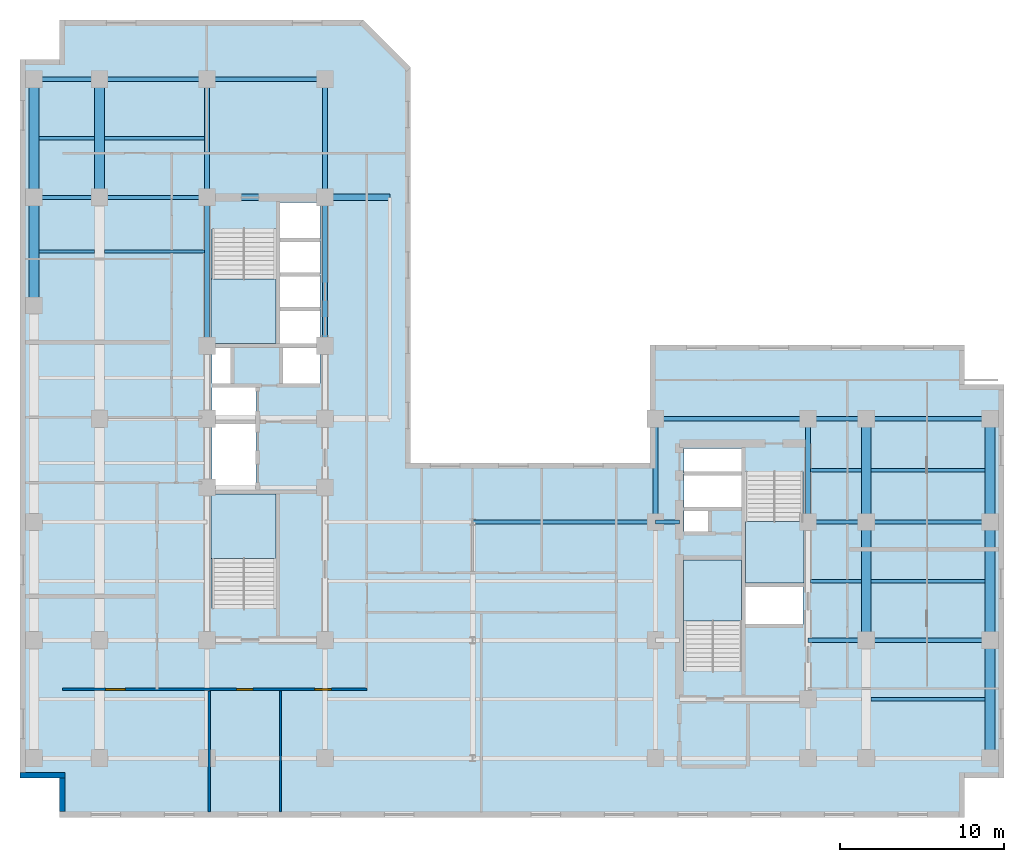
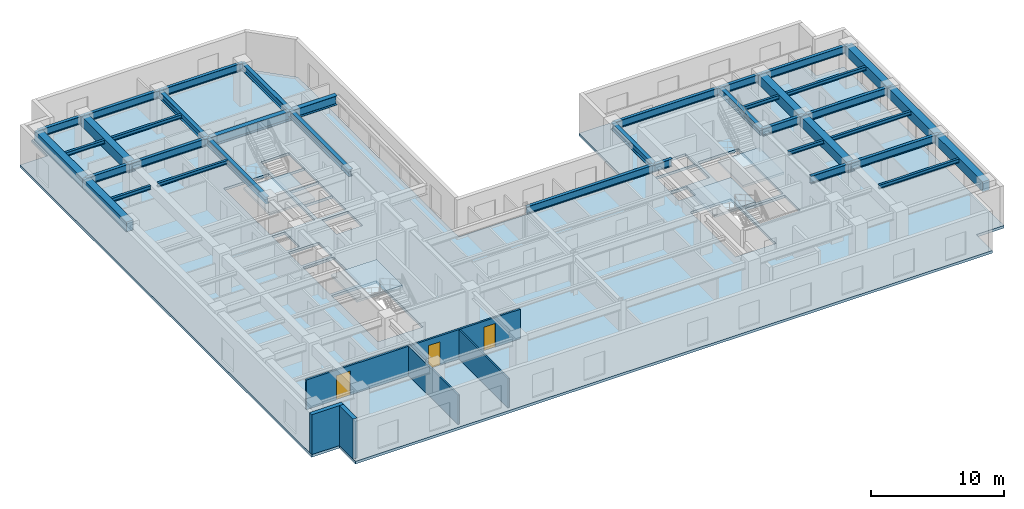
# One storey, part 2 of 9: 38 beams, 5 slabs, 5 walls, 3 doors, 3 openings, 4 elements without a shape of their own.
"""IFC4 building model written with IfcOpenShell, lengths in metres."""

from ifc_helpers import new_model, entity, si_unit, converted_unit, direction, frame, origin_with_axes, origin_2d_with_axis, place, context, subcontext, project, spatial, polyline, rectangle, i_section, outline, extrude, material, layer, layer_set, material_profile, profile_set, type_object, element, fill, aggregate, save


model = new_model("IFC4")

# Units and contexts
model_context = context("Model", 3, precision=1e-05, world=origin_with_axes(), true_north=direction((0.0, 1.0)))
body_context = subcontext(model_context, "Body", "Model", "MODEL_VIEW")
ifc_project = project(units=[si_unit("LENGTHUNIT", "METRE"), si_unit("AREAUNIT", "SQUARE_METRE"), si_unit("VOLUMEUNIT", "CUBIC_METRE"), converted_unit("PLANEANGLEUNIT", "DEGREE", entity("IfcPlaneAngleMeasure", 0.017453292519943295), si_unit("PLANEANGLEUNIT", "RADIAN"), dimensions=[0, 0, 0, 0, 0, 0, 0]), si_unit("MASSUNIT", "GRAM", prefix="KILO"), si_unit("THERMODYNAMICTEMPERATUREUNIT", "KELVIN")], contexts=[model_context])

# Site, building, storey
site_placement = place(None, origin_with_axes())
site = spatial("IfcSite", under=ifc_project, at=site_placement, CompositionType="ELEMENT")
building_placement = place(site_placement, origin_with_axes())
building = spatial("IfcBuilding", under=site, at=building_placement, Name="Varnlund Millrace Tower", CompositionType="ELEMENT")
storey_placement = place(building_placement, frame((0.0, 0.0, 164.1), z_axis=(0.0, 0.0, 1.0), x_axis=(1.0, 0.0, 0.0)))
storey = spatial("IfcBuildingStorey", under=building, at=storey_placement, Name="L40", CompositionType="ELEMENT", Elevation=164.1)

# Beams
ifc_material_1 = material(Name="Steel ASTM A992 Grade 50", Category="steel")
ifc_material_profile_1 = material_profile(ifc_material_1, i_section(OverallWidth=0.328, OverallDepth=0.628, WebThickness=0.0165, FlangeThickness=0.0277, FilletRadius=0.018, at=origin_2d_with_axis()), Name="Steel ASTM A992 Grade 50")
ifc_profile_set_1 = profile_set([ifc_material_profile_1], Name="Steel ASTM A992 Grade 50")
beam_type_1 = type_object("IfcBeamType", Name="Type-Girder-W24X146", PredefinedType="USERDEFINED", material=ifc_profile_set_1)
beam_1_placement = place(storey_placement, frame((11.4, 28.75, 3.346), z_axis=(0.0, 1.0, 0.0), x_axis=(-1.0, 0.0, 0.0)))
element("IfcBeam", 1, at=beam_1_placement, inside=storey, type_object=beam_type_1, Name="Type-Girder-W24X146", ObjectType="GIRDER", PredefinedType="USERDEFINED", context=body_context, shape_type="SweptSolid", body=[
    extrude(i_section(OverallWidth=0.328, OverallDepth=0.628, WebThickness=0.0165, FlangeThickness=0.0277, FilletRadius=0.018, at=origin_2d_with_axis()), origin_with_axes(), (0.0, 0.0, 1.0), 9.05),
])
beam_2_placement = place(storey_placement, frame((11.4, 37.8, 3.346), z_axis=(0.0, 1.0, 0.0), x_axis=(-1.0, 0.0, 0.0)))
element("IfcBeam", 2, at=beam_2_placement, inside=storey, type_object=beam_type_1, Name="Type-Girder-W24X146", ObjectType="GIRDER", PredefinedType="USERDEFINED", context=body_context, shape_type="SweptSolid", body=[
    extrude(i_section(OverallWidth=0.328, OverallDepth=0.628, WebThickness=0.0165, FlangeThickness=0.0277, FilletRadius=0.018, at=origin_2d_with_axis()), origin_with_axes(), (0.0, 0.0, 1.0), 7.2),
])
beam_3_placement = place(storey_placement, frame((18.6, 28.75, 3.346), z_axis=(0.0, 1.0, 0.0), x_axis=(-1.0, 0.0, 0.0)))
element("IfcBeam", 3, at=beam_3_placement, inside=storey, type_object=beam_type_1, Name="Type-Girder-W24X146", ObjectType="GIRDER", PredefinedType="USERDEFINED", context=body_context, shape_type="SweptSolid", body=[
    extrude(i_section(OverallWidth=0.328, OverallDepth=0.628, WebThickness=0.0165, FlangeThickness=0.0277, FilletRadius=0.018, at=origin_2d_with_axis()), origin_with_axes(), (0.0, 0.0, 1.0), 9.05),
])
beam_4_placement = place(storey_placement, frame((18.6, 37.8, 3.346), z_axis=(0.0, 1.0, 0.0), x_axis=(-1.0, 0.0, 0.0)))
element("IfcBeam", 4, at=beam_4_placement, inside=storey, type_object=beam_type_1, Name="Type-Girder-W24X146", ObjectType="GIRDER", PredefinedType="USERDEFINED", context=body_context, shape_type="SweptSolid", body=[
    extrude(i_section(OverallWidth=0.328, OverallDepth=0.628, WebThickness=0.0165, FlangeThickness=0.0277, FilletRadius=0.018, at=origin_2d_with_axis()), origin_with_axes(), (0.0, 0.0, 1.0), 7.2),
])
for number, where, z_axis, x_axis, name in (
    (5, (38.75, 18.0, 3.346), (0.0, 1.0, 0.0), (-1.0, 0.0, 0.0), "Type-Girder-W24X146"),
    (6, (48.05, 18.0, 3.346), (0.0, 1.0, 0.0), (-1.0, 0.0, 0.0), "Type-Girder-W24X146"),
):
    element("IfcBeam", number, at=place(storey_placement, frame(where, z_axis=z_axis, x_axis=x_axis)), inside=storey, type_object=beam_type_1, Name=name, ObjectType="GIRDER", PredefinedType="USERDEFINED", context=body_context, shape_type="SweptSolid", body=[
        extrude(i_section(OverallWidth=0.328, OverallDepth=0.628, WebThickness=0.0165, FlangeThickness=0.0277, FilletRadius=0.018, at=origin_2d_with_axis()), origin_with_axes(), (0.0, 0.0, 1.0), 6.3),
    ])
ifc_material_profile_2 = material_profile(ifc_material_1, i_section(OverallWidth=0.256, OverallDepth=0.693, WebThickness=0.0145, FlangeThickness=0.0236, FilletRadius=0.018, at=origin_2d_with_axis()), Name="Steel ASTM A992 Grade 50")
ifc_profile_set_2 = profile_set([ifc_material_profile_2], Name="Steel ASTM A992 Grade 50")
beam_type_2 = type_object("IfcBeamType", Name="Type-Girder-W27X114", PredefinedType="USERDEFINED", material=ifc_profile_set_2)
beam_5_placement = place(storey_placement, frame((48.05, 10.8, 3.3135), z_axis=(1.0, 0.0, 0.0), x_axis=(0.0, 1.0, 0.0)))
element("IfcBeam", 7, at=beam_5_placement, inside=storey, type_object=beam_type_2, Name="Type-Girder-W27X114", ObjectType="GIRDER", PredefinedType="USERDEFINED", context=body_context, shape_type="SweptSolid", body=[
    extrude(i_section(OverallWidth=0.256, OverallDepth=0.693, WebThickness=0.0145, FlangeThickness=0.0236, FilletRadius=0.018, at=origin_2d_with_axis()), origin_with_axes(), (0.0, 0.0, 1.0), 3.55),
])
beam_6_placement = place(storey_placement, frame((51.6, 10.8, 3.3135), z_axis=(1.0, 0.0, 0.0), x_axis=(0.0, 1.0, 0.0)))
element("IfcBeam", 8, at=beam_6_placement, inside=storey, type_object=beam_type_2, Name="Type-Girder-W27X114", ObjectType="GIRDER", PredefinedType="USERDEFINED", context=body_context, shape_type="SweptSolid", body=[
    extrude(i_section(OverallWidth=0.256, OverallDepth=0.693, WebThickness=0.0145, FlangeThickness=0.0236, FilletRadius=0.018, at=origin_2d_with_axis()), origin_with_axes(), (0.0, 0.0, 1.0), 7.55),
])
beam_7_placement = place(storey_placement, frame((27.6, 18.0, 3.3135), z_axis=(1.0, 0.0, 0.0), x_axis=(0.0, 1.0, 0.0)))
element("IfcBeam", 9, at=beam_7_placement, inside=storey, type_object=beam_type_2, Name="Type-Girder-W27X114", ObjectType="GIRDER", PredefinedType="USERDEFINED", context=body_context, shape_type="SweptSolid", body=[
    extrude(i_section(OverallWidth=0.256, OverallDepth=0.693, WebThickness=0.0145, FlangeThickness=0.0236, FilletRadius=0.018, at=origin_2d_with_axis()), origin_with_axes(), (0.0, 0.0, 1.0), 11.15),
])
beam_8_placement = place(storey_placement, frame((38.75, 18.0, 3.3135), z_axis=(1.0, 0.0, 0.0), x_axis=(0.0, 1.0, 0.0)))
element("IfcBeam", 10, at=beam_8_placement, inside=storey, type_object=beam_type_2, Name="Type-Girder-W27X114", ObjectType="GIRDER", PredefinedType="USERDEFINED", context=body_context, shape_type="SweptSolid", body=[
    extrude(i_section(OverallWidth=0.256, OverallDepth=0.693, WebThickness=0.0145, FlangeThickness=0.0236, FilletRadius=0.018, at=origin_2d_with_axis()), origin_with_axes(), (0.0, 0.0, 1.0), 1.45),
])
beam_9_placement = place(storey_placement, frame((48.05, 18.0, 3.3135), z_axis=(1.0, 0.0, 0.0), x_axis=(0.0, 1.0, 0.0)))
element("IfcBeam", 11, at=beam_9_placement, inside=storey, type_object=beam_type_2, Name="Type-Girder-W27X114", ObjectType="GIRDER", PredefinedType="USERDEFINED", context=body_context, shape_type="SweptSolid", body=[
    extrude(i_section(OverallWidth=0.256, OverallDepth=0.693, WebThickness=0.0145, FlangeThickness=0.0236, FilletRadius=0.018, at=origin_2d_with_axis()), origin_with_axes(), (0.0, 0.0, 1.0), 3.55),
])
beam_10_placement = place(storey_placement, frame((51.6, 18.0, 3.3135), z_axis=(1.0, 0.0, 0.0), x_axis=(0.0, 1.0, 0.0)))
element("IfcBeam", 12, at=beam_10_placement, inside=storey, type_object=beam_type_2, Name="Type-Girder-W27X114", ObjectType="GIRDER", PredefinedType="USERDEFINED", context=body_context, shape_type="SweptSolid", body=[
    extrude(i_section(OverallWidth=0.256, OverallDepth=0.693, WebThickness=0.0145, FlangeThickness=0.0236, FilletRadius=0.018, at=origin_2d_with_axis()), origin_with_axes(), (0.0, 0.0, 1.0), 7.55),
])
beam_11_placement = place(storey_placement, frame((38.75, 24.3, 3.3135), z_axis=(1.0, 0.0, 0.0), x_axis=(0.0, 1.0, 0.0)))
element("IfcBeam", 13, at=beam_11_placement, inside=storey, type_object=beam_type_2, Name="Type-Girder-W27X114", ObjectType="GIRDER", PredefinedType="USERDEFINED", context=body_context, shape_type="SweptSolid", body=[
    extrude(i_section(OverallWidth=0.256, OverallDepth=0.693, WebThickness=0.0145, FlangeThickness=0.0236, FilletRadius=0.018, at=origin_2d_with_axis()), origin_with_axes(), (0.0, 0.0, 1.0), 9.3),
])
beam_12_placement = place(storey_placement, frame((48.05, 24.3, 3.3135), z_axis=(1.0, 0.0, 0.0), x_axis=(0.0, 1.0, 0.0)))
element("IfcBeam", 14, at=beam_12_placement, inside=storey, type_object=beam_type_2, Name="Type-Girder-W27X114", ObjectType="GIRDER", PredefinedType="USERDEFINED", context=body_context, shape_type="SweptSolid", body=[
    extrude(i_section(OverallWidth=0.256, OverallDepth=0.693, WebThickness=0.0145, FlangeThickness=0.0236, FilletRadius=0.018, at=origin_2d_with_axis()), origin_with_axes(), (0.0, 0.0, 1.0), 3.55),
])
beam_13_placement = place(storey_placement, frame((51.6, 24.3, 3.3135), z_axis=(1.0, 0.0, 0.0), x_axis=(0.0, 1.0, 0.0)))
element("IfcBeam", 15, at=beam_13_placement, inside=storey, type_object=beam_type_2, Name="Type-Girder-W27X114", ObjectType="GIRDER", PredefinedType="USERDEFINED", context=body_context, shape_type="SweptSolid", body=[
    extrude(i_section(OverallWidth=0.256, OverallDepth=0.693, WebThickness=0.0145, FlangeThickness=0.0236, FilletRadius=0.018, at=origin_2d_with_axis()), origin_with_axes(), (0.0, 0.0, 1.0), 7.55),
])
beam_14_placement = place(storey_placement, frame((0.85, 37.8, 3.3135), z_axis=(1.0, 0.0, 0.0), x_axis=(0.0, 1.0, 0.0)))
element("IfcBeam", 16, at=beam_14_placement, inside=storey, type_object=beam_type_2, Name="Type-Girder-W27X114", ObjectType="GIRDER", PredefinedType="USERDEFINED", context=body_context, shape_type="SweptSolid", body=[
    extrude(i_section(OverallWidth=0.256, OverallDepth=0.693, WebThickness=0.0145, FlangeThickness=0.0236, FilletRadius=0.018, at=origin_2d_with_axis()), origin_with_axes(), (0.0, 0.0, 1.0), 4.0),
])
beam_15_placement = place(storey_placement, frame((4.85, 37.8, 3.3135), z_axis=(1.0, 0.0, 0.0), x_axis=(0.0, 1.0, 0.0)))
element("IfcBeam", 17, at=beam_15_placement, inside=storey, type_object=beam_type_2, Name="Type-Girder-W27X114", ObjectType="GIRDER", PredefinedType="USERDEFINED", context=body_context, shape_type="SweptSolid", body=[
    extrude(i_section(OverallWidth=0.256, OverallDepth=0.693, WebThickness=0.0145, FlangeThickness=0.0236, FilletRadius=0.018, at=origin_2d_with_axis()), origin_with_axes(), (0.0, 0.0, 1.0), 6.55),
])
beam_16_placement = place(storey_placement, frame((0.85, 45.0, 3.3135), z_axis=(1.0, 0.0, 0.0), x_axis=(0.0, 1.0, 0.0)))
element("IfcBeam", 18, at=beam_16_placement, inside=storey, type_object=beam_type_2, Name="Type-Girder-W27X114", ObjectType="GIRDER", PredefinedType="USERDEFINED", context=body_context, shape_type="SweptSolid", body=[
    extrude(i_section(OverallWidth=0.256, OverallDepth=0.693, WebThickness=0.0145, FlangeThickness=0.0236, FilletRadius=0.018, at=origin_2d_with_axis()), origin_with_axes(), (0.0, 0.0, 1.0), 4.0),
])
beam_17_placement = place(storey_placement, frame((4.85, 45.0, 3.3135), z_axis=(1.0, 0.0, 0.0), x_axis=(0.0, 1.0, 0.0)))
element("IfcBeam", 19, at=beam_17_placement, inside=storey, type_object=beam_type_2, Name="Type-Girder-W27X114", ObjectType="GIRDER", PredefinedType="USERDEFINED", context=body_context, shape_type="SweptSolid", body=[
    extrude(i_section(OverallWidth=0.256, OverallDepth=0.693, WebThickness=0.0145, FlangeThickness=0.0236, FilletRadius=0.018, at=origin_2d_with_axis()), origin_with_axes(), (0.0, 0.0, 1.0), 6.55),
])
beam_18_placement = place(storey_placement, frame((11.4, 45.0, 3.3135), z_axis=(1.0, 0.0, 0.0), x_axis=(0.0, 1.0, 0.0)))
element("IfcBeam", 20, at=beam_18_placement, inside=storey, type_object=beam_type_2, Name="Type-Girder-W27X114", ObjectType="GIRDER", PredefinedType="USERDEFINED", context=body_context, shape_type="SweptSolid", body=[
    extrude(i_section(OverallWidth=0.256, OverallDepth=0.693, WebThickness=0.0145, FlangeThickness=0.0236, FilletRadius=0.018, at=origin_2d_with_axis()), origin_with_axes(), (0.0, 0.0, 1.0), 7.2),
])
ifc_material_profile_3 = material_profile(ifc_material_1, i_section(OverallWidth=0.399, OverallDepth=0.855, WebThickness=0.0182, FlangeThickness=0.0292, FilletRadius=0.022, at=origin_2d_with_axis()), Name="Steel ASTM A992 Grade 50")
ifc_profile_set_3 = profile_set([ifc_material_profile_3], Name="Steel ASTM A992 Grade 50")
beam_type_3 = type_object("IfcBeamType", Name="Type-Girder-W33X201", PredefinedType="USERDEFINED", material=ifc_profile_set_3)
beam_19_placement = place(storey_placement, frame((11.4, 37.8, 3.2325), z_axis=(1.0, 0.0, 0.0), x_axis=(0.0, 1.0, 0.0)))
element("IfcBeam", 21, at=beam_19_placement, inside=storey, type_object=beam_type_3, Name="Type-Girder-W33X201", ObjectType="GIRDER", PredefinedType="USERDEFINED", context=body_context, shape_type="SweptSolid", body=[
    extrude(i_section(OverallWidth=0.399, OverallDepth=0.855, WebThickness=0.0182, FlangeThickness=0.0292, FilletRadius=0.022, at=origin_2d_with_axis()), origin_with_axes(), (0.0, 0.0, 1.0), 11.15),
])
ifc_material_profile_4 = material_profile(ifc_material_1, i_section(OverallWidth=0.204, OverallDepth=0.35, WebThickness=0.0086, FlangeThickness=0.0151, FilletRadius=0.013, at=origin_2d_with_axis()), Name="Steel ASTM A992 Grade 50")
ifc_profile_set_4 = profile_set([ifc_material_profile_4], Name="Steel ASTM A992 Grade 50")
beam_type_4 = type_object("IfcBeamType", Name="Type-Joist-W14X48", PredefinedType="JOIST", material=ifc_profile_set_4)
for number, where, z_axis, x_axis, name in (
    (22, (1.15, 34.5, 3.485), (1.0, 0.0, 0.0), (0.0, 1.0, 0.0), "Type-Joist-W14X48"),
    (23, (1.15, 41.4, 3.485), (1.0, 0.0, 0.0), (0.0, 1.0, 0.0), "Type-Joist-W14X48"),
):
    element("IfcBeam", number, at=place(storey_placement, frame(where, z_axis=z_axis, x_axis=x_axis)), inside=storey, type_object=beam_type_4, Name=name, PredefinedType="JOIST", context=body_context, shape_type="SweptSolid", body=[
        extrude(i_section(OverallWidth=0.204, OverallDepth=0.35, WebThickness=0.0086, FlangeThickness=0.0151, FilletRadius=0.013, at=origin_2d_with_axis()), origin_with_axes(), (0.0, 0.0, 1.0), 3.4),
    ])
for number, where, z_axis, x_axis, name in (
    (24, (5.15, 34.5, 3.485), (1.0, 0.0, 0.0), (0.0, 1.0, 0.0), "Type-Joist-W14X48"),
    (25, (5.15, 41.4, 3.485), (1.0, 0.0, 0.0), (0.0, 1.0, 0.0), "Type-Joist-W14X48"),
):
    element("IfcBeam", number, at=place(storey_placement, frame(where, z_axis=z_axis, x_axis=x_axis)), inside=storey, type_object=beam_type_4, Name=name, PredefinedType="JOIST", context=body_context, shape_type="SweptSolid", body=[
        extrude(i_section(OverallWidth=0.204, OverallDepth=0.35, WebThickness=0.0086, FlangeThickness=0.0151, FilletRadius=0.013, at=origin_2d_with_axis()), origin_with_axes(), (0.0, 0.0, 1.0), 6.086),
    ])
for number, where, z_axis, x_axis, name in (
    (26, (48.214, 14.4, 3.485), (1.0, 0.0, 0.0), (0.0, 1.0, 0.0), "Type-Joist-W14X48"),
    (27, (48.214, 21.15, 3.485), (1.0, 0.0, 0.0), (0.0, 1.0, 0.0), "Type-Joist-W14X48"),
):
    element("IfcBeam", number, at=place(storey_placement, frame(where, z_axis=z_axis, x_axis=x_axis)), inside=storey, type_object=beam_type_4, Name=name, PredefinedType="JOIST", context=body_context, shape_type="SweptSolid", body=[
        extrude(i_section(OverallWidth=0.204, OverallDepth=0.35, WebThickness=0.0086, FlangeThickness=0.0151, FilletRadius=0.013, at=origin_2d_with_axis()), origin_with_axes(), (0.0, 0.0, 1.0), 3.086),
    ])
for number, where, z_axis, x_axis, name in (
    (28, (51.9, 7.2, 3.485), (1.0, 0.0, 0.0), (0.0, 1.0, 0.0), "Type-Joist-W14X48"),
    (29, (51.9, 14.4, 3.485), (1.0, 0.0, 0.0), (0.0, 1.0, 0.0), "Type-Joist-W14X48"),
    (30, (51.9, 21.15, 3.485), (1.0, 0.0, 0.0), (0.0, 1.0, 0.0), "Type-Joist-W14X48"),
):
    element("IfcBeam", number, at=place(storey_placement, frame(where, z_axis=z_axis, x_axis=x_axis)), inside=storey, type_object=beam_type_4, Name=name, PredefinedType="JOIST", context=body_context, shape_type="SweptSolid", body=[
        extrude(i_section(OverallWidth=0.204, OverallDepth=0.35, WebThickness=0.0086, FlangeThickness=0.0151, FilletRadius=0.013, at=origin_2d_with_axis()), origin_with_axes(), (0.0, 0.0, 1.0), 6.95),
    ])
ifc_material_2 = material(Name="Concrete C70/85", Category="concrete")
ifc_material_profile_5 = material_profile(ifc_material_2, rectangle(XDim=0.6, YDim=0.9, at=origin_2d_with_axis()), Name="Concrete C70/85")
ifc_profile_set_5 = profile_set([ifc_material_profile_5], Name="Concrete C70/85")
beam_type_5 = type_object("IfcBeamType", Name="Type-Spandrel-RC600X900", PredefinedType="SPANDREL", material=ifc_profile_set_5)
beam_20_placement = place(storey_placement, frame((0.85, 31.2, 3.21), z_axis=(0.0, 1.0, 0.0), x_axis=(-1.0, 0.0, 0.0)))
element("IfcBeam", 31, at=beam_20_placement, inside=storey, type_object=beam_type_5, Name="Type-Spandrel-RC600X900", PredefinedType="SPANDREL", context=body_context, shape_type="SweptSolid", body=[
    extrude(rectangle(XDim=0.6, YDim=0.9, at=origin_2d_with_axis()), origin_with_axes(), (0.0, 0.0, 1.0), 6.6),
])
for number, where, z_axis, x_axis, name in (
    (32, (0.85, 37.8, 3.21), (0.0, 1.0, 0.0), (-1.0, 0.0, 0.0), "Type-Spandrel-RC600X900"),
    (33, (4.85, 37.8, 3.21), (0.0, 1.0, 0.0), (-1.0, 0.0, 0.0), "Type-Spandrel-RC600X900"),
    (34, (51.6, 10.8, 3.21), (0.0, 1.0, 0.0), (-1.0, 0.0, 0.0), "Type-Spandrel-RC600X900"),
):
    element("IfcBeam", number, at=place(storey_placement, frame(where, z_axis=z_axis, x_axis=x_axis)), inside=storey, type_object=beam_type_5, Name=name, PredefinedType="SPANDREL", context=body_context, shape_type="SweptSolid", body=[
        extrude(rectangle(XDim=0.6, YDim=0.9, at=origin_2d_with_axis()), origin_with_axes(), (0.0, 0.0, 1.0), 7.2),
    ])
beam_21_placement = place(storey_placement, frame((51.6, 18.0, 3.21), z_axis=(0.0, 1.0, 0.0), x_axis=(-1.0, 0.0, 0.0)))
element("IfcBeam", 35, at=beam_21_placement, inside=storey, type_object=beam_type_5, Name="Type-Spandrel-RC600X900", PredefinedType="SPANDREL", context=body_context, shape_type="SweptSolid", body=[
    extrude(rectangle(XDim=0.6, YDim=0.9, at=origin_2d_with_axis()), origin_with_axes(), (0.0, 0.0, 1.0), 6.3),
])
for number, where, z_axis, x_axis, name in (
    (36, (59.15, 3.6, 3.21), (0.0, 1.0, 0.0), (-1.0, 0.0, 0.0), "Type-Spandrel-RC600X900"),
    (37, (59.15, 10.8, 3.21), (0.0, 1.0, 0.0), (-1.0, 0.0, 0.0), "Type-Spandrel-RC600X900"),
):
    element("IfcBeam", number, at=place(storey_placement, frame(where, z_axis=z_axis, x_axis=x_axis)), inside=storey, type_object=beam_type_5, Name=name, PredefinedType="SPANDREL", context=body_context, shape_type="SweptSolid", body=[
        extrude(rectangle(XDim=0.6, YDim=0.9, at=origin_2d_with_axis()), origin_with_axes(), (0.0, 0.0, 1.0), 7.2),
    ])
beam_22_placement = place(storey_placement, frame((59.15, 18.0, 3.21), z_axis=(0.0, 1.0, 0.0), x_axis=(-1.0, 0.0, 0.0)))
element("IfcBeam", 38, at=beam_22_placement, inside=storey, type_object=beam_type_5, Name="Type-Spandrel-RC600X900", PredefinedType="SPANDREL", context=body_context, shape_type="SweptSolid", body=[
    extrude(rectangle(XDim=0.6, YDim=0.9, at=origin_2d_with_axis()), origin_with_axes(), (0.0, 0.0, 1.0), 6.3),
])

# Slab
ifc_material_3 = material(Name="Concrete C60/75", Category="concrete")
ifc_layer_1 = layer(ifc_material_3, 0.24, Name="Concrete C60/75")
ifc_layer_set_1 = layer_set([ifc_layer_1], Name="Concrete C60/75")
slab_type_1 = type_object("IfcSlabType", Name="Type-Deck-Plate-Typical-240", PredefinedType="FLOOR", material=ifc_layer_set_1)
slab_1_placement = place(storey_placement, frame((0.0, 0.0, -0.24), z_axis=(0.0, 0.0, 1.0), x_axis=(1.0, 0.0, 0.0)))
element("IfcSlab", 39, at=slab_1_placement, inside=storey, type_object=slab_type_1, Name="Type-Deck-Plate-Typical-240", PredefinedType="FLOOR", context=body_context, shape_type="SweptSolid", body=[
    extrude(outline(polyline([(23.819, 21.6), (23.819, 45.72), (20.939, 48.6), (2.4, 48.6), (2.4, 46.2), (0.0, 46.2), (0.0, 2.4), (2.4, 2.4), (2.4, 0.0), (57.6, 0.0), (57.6, 2.4), (60.0, 2.4), (60.0, 26.4), (57.6, 26.4), (57.6, 28.8), (38.4, 28.8), (38.4, 21.6), (23.819, 21.6)]), holes=[polyline([(15.6, 12.715), (11.7, 12.715), (11.7, 19.7), (15.6, 19.7), (15.6, 12.715)]), polyline([(14.38, 23.98), (14.38, 19.94), (11.7, 19.94), (11.7, 23.98), (14.38, 23.98)]), polyline([(14.38, 24.24), (11.7, 24.24), (11.7, 26.2), (14.38, 26.2), (14.38, 24.24)]), polyline([(12.84, 26.46), (11.7, 26.46), (11.7, 28.65), (12.84, 28.65), (12.84, 26.46)]), polyline([(18.3, 28.9), (15.84, 28.9), (15.84, 30.98), (18.3, 30.98), (18.3, 28.9)]), polyline([(18.3, 31.02), (15.84, 31.02), (15.84, 33.08), (18.3, 33.08), (18.3, 31.02)]), polyline([(15.6, 28.9), (11.7, 28.9), (11.7, 35.885), (15.6, 35.885), (15.6, 28.9)]), polyline([(18.3, 33.12), (15.84, 33.12), (15.84, 35.18), (18.3, 35.18), (18.3, 33.12)]), polyline([(44.0, 8.915), (40.5, 8.915), (40.5, 15.7), (44.0, 15.7), (44.0, 8.915)]), polyline([(47.75, 11.74), (44.25, 11.74), (44.25, 14.06), (47.75, 14.06), (47.75, 11.74)]), polyline([(47.75, 14.3), (44.25, 14.3), (44.25, 21.085), (47.75, 21.085), (47.75, 14.3)]), polyline([(41.95, 17.42), (40.5, 17.42), (40.5, 18.72), (41.95, 18.72), (41.95, 17.42)]), polyline([(44.0, 18.88), (40.5, 18.88), (40.5, 20.94), (44.0, 20.94), (44.0, 18.88)]), polyline([(44.0, 21.0), (40.5, 21.0), (40.5, 22.5), (44.0, 22.5), (44.0, 21.0)]), polyline([(16.04, 26.46), (16.04, 28.65), (18.3, 28.65), (18.3, 26.46), (16.04, 26.46)]), polyline([(15.84, 35.22), (15.84, 37.5), (18.3, 37.5), (18.3, 35.22), (15.84, 35.22)])]), origin_with_axes(), (0.0, 0.0, 1.0), 0.24),
])

# Stair, slab
ifc_material_4 = material(Name="Concrete C50/60", Category="concrete")
stair_type_1 = type_object("IfcStairType", Name="Type-Stair-Dogleg-185-390", PredefinedType="HALF_TURN_STAIR", material=ifc_material_4)
stair_1_placement = place(storey_placement, origin_with_axes())
stair_1 = element("IfcStair", 40, at=stair_1_placement, inside=storey, type_object=stair_type_1, Name="Type-Stair-Dogleg-185-390", PredefinedType="HALF_TURN_STAIR")
ifc_layer_2 = layer(ifc_material_4, 0.2, Name="Concrete C50/60")
ifc_layer_set_2 = layer_set([ifc_layer_2], Name="Concrete C50/60")
slab_type_2 = type_object("IfcSlabType", Name="Type-StairLanding-200", PredefinedType="LANDING", material=ifc_layer_set_2)
slab_2_placement = place(storey_placement, frame((0.0, 0.0, 1.75), z_axis=(0.0, 0.0, 1.0), x_axis=(1.0, 0.0, 0.0)))
slab_2 = element("IfcSlab", 41, at=slab_2_placement, type_object=slab_type_2, Name="ST-A1 landing 1", PredefinedType="LANDING", context=body_context, shape_type="SweptSolid", body=[
    extrude(outline(polyline([(15.6, 15.78), (15.6, 19.7), (11.65, 19.7), (11.65, 15.78), (15.6, 15.78)])), origin_with_axes(), (0.0, 0.0, 1.0), 0.2),
])
aggregate(stair_1, [slab_2])

stair_2_placement = place(storey_placement, origin_with_axes())
stair_2 = element("IfcStair", 42, at=stair_2_placement, inside=storey, type_object=stair_type_1, Name="Type-Stair-Dogleg-185-390", PredefinedType="HALF_TURN_STAIR")
slab_3_placement = place(storey_placement, frame((0.0, 0.0, 1.75), z_axis=(0.0, 0.0, 1.0), x_axis=(1.0, 0.0, 0.0)))
slab_3 = element("IfcSlab", 43, at=slab_3_placement, type_object=slab_type_2, Name="ST-A2 landing 1", PredefinedType="LANDING", context=body_context, shape_type="SweptSolid", body=[
    extrude(outline(polyline([(11.65, 32.82), (11.65, 28.9), (15.6, 28.9), (15.6, 32.82), (11.65, 32.82)])), origin_with_axes(), (0.0, 0.0, 1.0), 0.2),
])
aggregate(stair_2, [slab_3])

stair_type_2 = type_object("IfcStairType", Name="Type-Stair-Dogleg-165-390", PredefinedType="HALF_TURN_STAIR", material=ifc_material_4)
stair_3_placement = place(storey_placement, origin_with_axes())
stair_3 = element("IfcStair", 44, at=stair_3_placement, inside=storey, type_object=stair_type_2, Name="Type-Stair-Dogleg-165-390", PredefinedType="HALF_TURN_STAIR")
slab_4_placement = place(storey_placement, frame((0.0, 0.0, 1.75), z_axis=(0.0, 0.0, 1.0), x_axis=(1.0, 0.0, 0.0)))
slab_4 = element("IfcSlab", 45, at=slab_4_placement, type_object=slab_type_2, Name="ST-B1 landing 1", PredefinedType="LANDING", context=body_context, shape_type="SweptSolid", body=[
    extrude(outline(polyline([(44.0, 11.98), (44.0, 15.7), (40.45, 15.7), (40.45, 11.98), (44.0, 11.98)])), origin_with_axes(), (0.0, 0.0, 1.0), 0.2),
])
aggregate(stair_3, [slab_4])

stair_4_placement = place(storey_placement, origin_with_axes())
stair_4 = element("IfcStair", 46, at=stair_4_placement, inside=storey, type_object=stair_type_2, Name="Type-Stair-Dogleg-165-390", PredefinedType="HALF_TURN_STAIR")
slab_5_placement = place(storey_placement, frame((0.0, 0.0, 1.75), z_axis=(0.0, 0.0, 1.0), x_axis=(1.0, 0.0, 0.0)))
slab_5 = element("IfcSlab", 47, at=slab_5_placement, type_object=slab_type_2, Name="ST-B2 landing 1", PredefinedType="LANDING", context=body_context, shape_type="SweptSolid", body=[
    extrude(outline(polyline([(44.25, 18.02), (44.25, 14.3), (47.8, 14.3), (47.8, 18.02), (44.25, 18.02)])), origin_with_axes(), (0.0, 0.0, 1.0), 0.2),
])
aggregate(stair_4, [slab_5])

# Walls
ifc_material_5 = material(Name="Precast concrete C50/60", Category="concrete")
ifc_layer_3 = layer(ifc_material_5, 0.34, Name="Precast concrete C50/60")
ifc_layer_set_3 = layer_set([ifc_layer_3], Name="Precast concrete C50/60")
wall_type_1 = type_object("IfcWallType", Name="Type-ExtWall-Precast-Upper-340", PredefinedType="SOLIDWALL", material=ifc_layer_set_3)
wall_1_placement = place(storey_placement, frame((2.57, 0.34, 0.0), z_axis=(0.0, 0.0, 1.0), x_axis=(0.0, 1.0, 0.0)))
element("IfcWall", 48, at=wall_1_placement, inside=storey, type_object=wall_type_1, Name="Type-ExtWall-Precast-Upper-340", PredefinedType="SOLIDWALL", context=body_context, shape_type="SweptSolid", body=[
    extrude(outline(polyline([(0.0, -0.17), (2.06, -0.17), (2.06, 0.17), (0.0, 0.17), (0.0, -0.17)])), origin_with_axes(), (0.0, 0.0, 1.0), 3.66),
])
wall_2_placement = place(storey_placement, frame((2.74, 2.57, 0.0), z_axis=(0.0, 0.0, 1.0), x_axis=(-1.0, 0.0, 0.0)))
element("IfcWall", 49, at=wall_2_placement, inside=storey, type_object=wall_type_1, Name="Type-ExtWall-Precast-Upper-340", PredefinedType="SOLIDWALL", context=body_context, shape_type="SweptSolid", body=[
    extrude(outline(polyline([(0.0, -0.17), (2.74, -0.17), (2.74, 0.17), (0.0, 0.17), (0.0, -0.17)])), origin_with_axes(), (0.0, 0.0, 1.0), 3.66),
])

# Wall, openings, doors
ifc_material_6 = material(Name="Fire-rated gypsum board on cold-formed steel framing", Category="steel")
ifc_layer_4 = layer(ifc_material_6, 0.16, Name="Fire-rated gypsum board on cold-formed steel framing")
ifc_layer_set_4 = layer_set([ifc_layer_4], Name="Fire-rated gypsum board on cold-formed steel framing")
wall_type_2 = type_object("IfcWallType", Name="Type-Partition-Corridor-160", PredefinedType="PARTITIONING", material=ifc_layer_set_4)
wall_3_placement = place(storey_placement, frame((2.6, 7.8, 0.0), z_axis=(0.0, 0.0, 1.0), x_axis=(1.0, 0.0, 0.0)))
wall_3 = element("IfcWall", 50, at=wall_3_placement, inside=storey, type_object=wall_type_2, Name="Type-Partition-Corridor-160", PredefinedType="PARTITIONING", context=body_context, shape_type="SweptSolid", body=[
    extrude(outline(polyline([(0.0, -0.08), (18.55, -0.08), (18.55, 0.08), (0.0, 0.08), (0.0, -0.08)])), origin_with_axes(), (0.0, 0.0, 1.0), 2.7),
])
opening_1_placement = place(wall_3_placement, frame((3.215, 0.0, 0.0), z_axis=(0.0, 0.0, 1.0), x_axis=(1.0, 0.0, 0.0)))
opening_1 = element("IfcOpeningElement", 51, at=opening_1_placement, cuts=wall_3, Name="Opening L40:DR-WAS-01", PredefinedType="OPENING", context=body_context, shape_type="SweptSolid", body=[
    extrude(rectangle(XDim=1.2, YDim=0.18, at=origin_2d_with_axis()), origin_with_axes(), (0.0, 0.0, 1.0), 2.2),
])
opening_2_placement = place(wall_3_placement, frame((11.1065, 0.0, 0.0), z_axis=(0.0, 0.0, 1.0), x_axis=(1.0, 0.0, 0.0)))
opening_2 = element("IfcOpeningElement", 52, at=opening_2_placement, cuts=wall_3, Name="Opening L40:DR-WAS-02", PredefinedType="OPENING", context=body_context, shape_type="SweptSolid", body=[
    extrude(rectangle(XDim=1.0, YDim=0.18, at=origin_2d_with_axis()), origin_with_axes(), (0.0, 0.0, 1.0), 2.15),
])
opening_3_placement = place(wall_3_placement, frame((15.8865, 0.0, 0.0), z_axis=(0.0, 0.0, 1.0), x_axis=(1.0, 0.0, 0.0)))
opening_3 = element("IfcOpeningElement", 53, at=opening_3_placement, cuts=wall_3, Name="Opening L40:DR-WAS-03", PredefinedType="OPENING", context=body_context, shape_type="SweptSolid", body=[
    extrude(rectangle(XDim=1.0, YDim=0.18, at=origin_2d_with_axis()), origin_with_axes(), (0.0, 0.0, 1.0), 2.15),
])
ifc_material_7 = material(Name="Wide executive white oak acoustic door")
door_type_1 = type_object("IfcDoorType", Name="Type-IntDoor-Exec-1200X2200", OperationType="NOTDEFINED", PredefinedType="DOOR", material=ifc_material_7)
door_1_placement = place(wall_3_placement, frame((3.215, 0.0, 0.0), z_axis=(0.0, 0.0, 1.0), x_axis=(1.0, 0.0, 0.0)))
door_1 = element("IfcDoor", 54, at=door_1_placement, inside=storey, type_object=door_type_1, Name="Type-IntDoor-Exec-1200X2200", OperationType="SINGLE_SWING_LEFT", OverallHeight=2.2, OverallWidth=1.2, PredefinedType="DOOR", context=body_context, shape_type="SweptSolid", body=[
    extrude(rectangle(XDim=1.2, YDim=0.09, at=origin_2d_with_axis()), origin_with_axes(), (0.0, 0.0, 1.0), 2.2),
])
fill(opening_1, door_1)
ifc_material_8 = material(Name="Solid-core white oak and bronze frame door")
door_type_2 = type_object("IfcDoorType", Name="Type-IntDoor-Office-1000X2150", OperationType="NOTDEFINED", PredefinedType="DOOR", material=ifc_material_8)
door_2_placement = place(wall_3_placement, frame((11.1065, 0.0, 0.0), z_axis=(0.0, 0.0, 1.0), x_axis=(1.0, 0.0, 0.0)))
door_2 = element("IfcDoor", 55, at=door_2_placement, inside=storey, type_object=door_type_2, Name="Type-IntDoor-Office-1000X2150", OperationType="SINGLE_SWING_RIGHT", OverallHeight=2.15, OverallWidth=1.0, PredefinedType="DOOR", context=body_context, shape_type="SweptSolid", body=[
    extrude(rectangle(XDim=1.0, YDim=0.09, at=origin_2d_with_axis()), origin_with_axes(), (0.0, 0.0, 1.0), 2.15),
])
fill(opening_2, door_2)
door_3_placement = place(wall_3_placement, frame((15.8865, 0.0, 0.0), z_axis=(0.0, 0.0, 1.0), x_axis=(1.0, 0.0, 0.0)))
door_3 = element("IfcDoor", 56, at=door_3_placement, inside=storey, type_object=door_type_2, Name="Type-IntDoor-Office-1000X2150", OperationType="SINGLE_SWING_LEFT", OverallHeight=2.15, OverallWidth=1.0, PredefinedType="DOOR", context=body_context, shape_type="SweptSolid", body=[
    extrude(rectangle(XDim=1.0, YDim=0.09, at=origin_2d_with_axis()), origin_with_axes(), (0.0, 0.0, 1.0), 2.15),
])
fill(opening_3, door_3)

# Walls
ifc_material_9 = material(Name="Acoustic STC-50 gypsum board partition", Category="gypsum")
ifc_layer_5 = layer(ifc_material_9, 0.15, Name="Acoustic STC-50 gypsum board partition")
ifc_layer_set_5 = layer_set([ifc_layer_5], Name="Acoustic STC-50 gypsum board partition")
wall_type_3 = type_object("IfcWallType", Name="Type-Partition-Demising-150", PredefinedType="PARTITIONING", material=ifc_layer_set_5)
wall_4_placement = place(storey_placement, frame((11.54, 0.335, 0.0), z_axis=(0.0, 0.0, 1.0), x_axis=(0.0, 1.0, 0.0)))
element("IfcWall", 57, at=wall_4_placement, inside=storey, type_object=wall_type_3, Name="Type-Partition-Demising-150", PredefinedType="PARTITIONING", context=body_context, shape_type="SweptSolid", body=[
    extrude(outline(polyline([(0.0, -0.075), (7.365, -0.075), (7.365, 0.075), (0.0, 0.075), (0.0, -0.075)])), origin_with_axes(), (0.0, 0.0, 1.0), 2.7),
])
ifc_material_10 = material(Name="Gypsum board tenant partition", Category="gypsum")
ifc_layer_6 = layer(ifc_material_10, 0.125, Name="Gypsum board tenant partition")
ifc_layer_set_6 = layer_set([ifc_layer_6], Name="Gypsum board tenant partition")
wall_type_4 = type_object("IfcWallType", Name="Type-Partition-Tenant-125", PredefinedType="PARTITIONING", material=ifc_layer_set_6)
wall_5_placement = place(storey_placement, frame((15.873, 0.335, 0.0), z_axis=(0.0, 0.0, 1.0), x_axis=(0.0, 1.0, 0.0)))
element("IfcWall", 58, at=wall_5_placement, inside=storey, type_object=wall_type_4, Name="Type-Partition-Tenant-125", PredefinedType="PARTITIONING", context=body_context, shape_type="SweptSolid", body=[
    extrude(outline(polyline([(0.0, -0.0625), (7.365, -0.0625), (7.365, 0.0625), (0.0, 0.0625), (0.0, -0.0625)])), origin_with_axes(), (0.0, 0.0, 1.0), 2.7),
])

save(model, "model.ifc")
